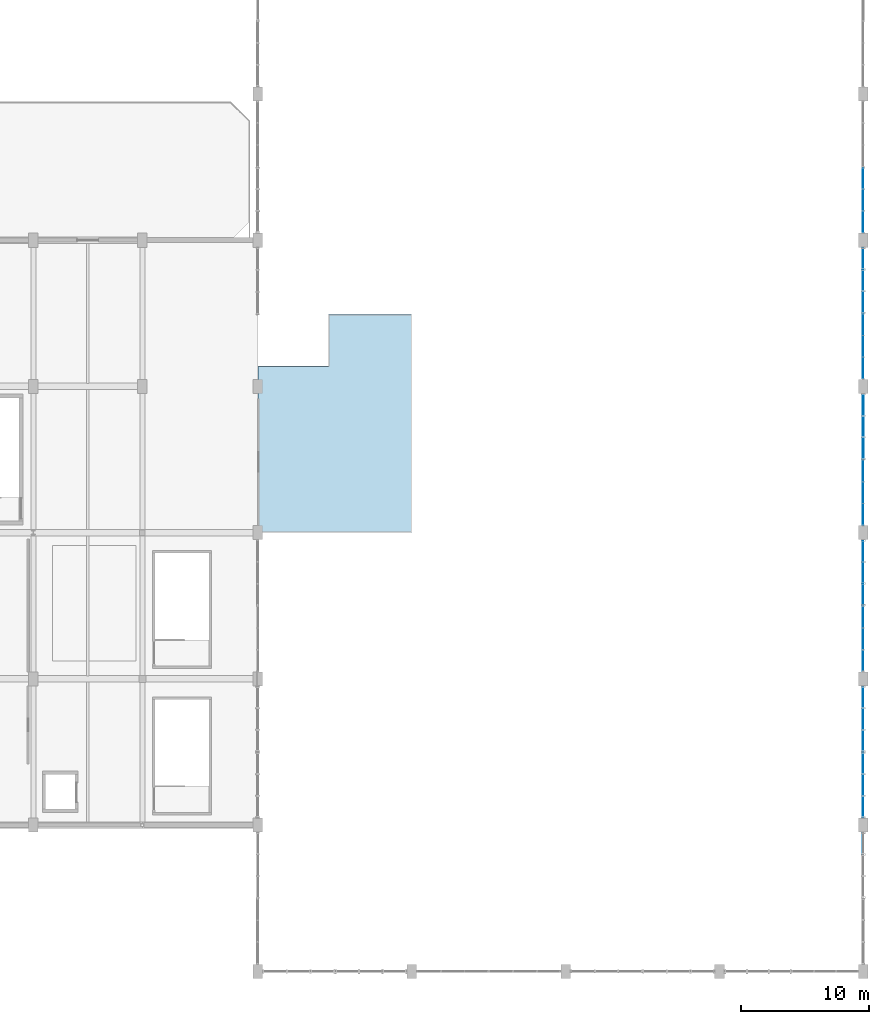
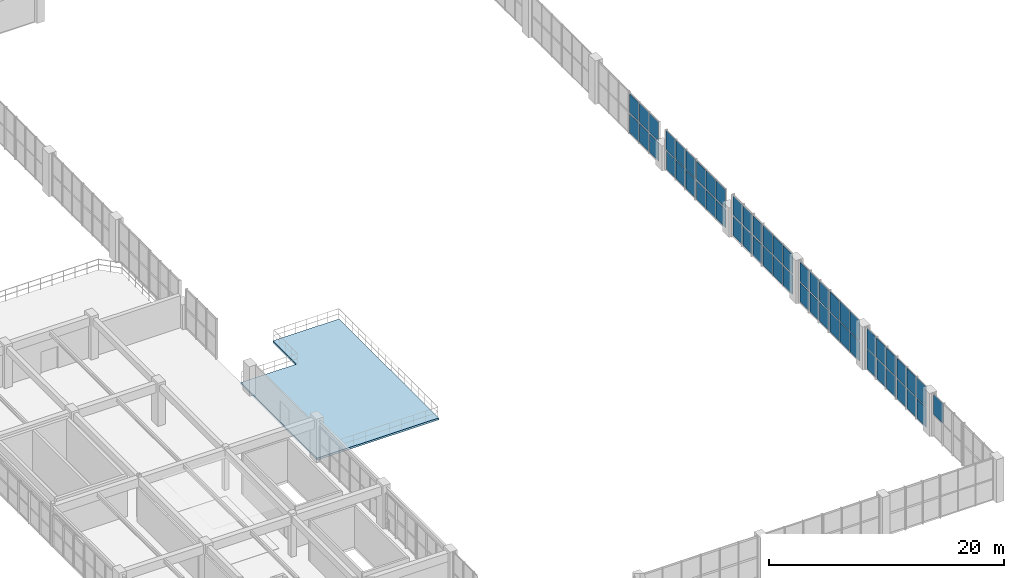
# One storey, part 59 of 80: 55 plates, 1 slab, 10 elements without a shape of their own.
"""IFC4 building model written with IfcOpenShell, lengths in metres."""

from ifc_helpers import new_model, si_unit, direction, frame, origin, origin_2d, place, context, subcontext, project, spatial, polyline, rectangle, outline, extrude, material, layer, layer_set, type_object, element, aggregate, save


model = new_model("IFC4")

# Units and contexts
model_context = context("Model", 3, precision=1e-05, world=origin(), true_north=direction((0.0, 1.0)))
body_context = subcontext(model_context, "Body", "Model", "MODEL_VIEW")
ifc_project = project(units=[si_unit("LENGTHUNIT", "METRE"), si_unit("AREAUNIT", "SQUARE_METRE"), si_unit("VOLUMEUNIT", "CUBIC_METRE"), si_unit("PLANEANGLEUNIT", "RADIAN"), si_unit("MASSUNIT", "GRAM", prefix="KILO"), si_unit("POWERUNIT", "WATT"), si_unit("THERMODYNAMICTEMPERATUREUNIT", "KELVIN")], contexts=[model_context])

# Site, building, storey
site_placement = place(None, origin())
site = spatial("IfcSite", under=ifc_project, at=site_placement, CompositionType="ELEMENT")
building_placement = place(site_placement, origin())
building = spatial("IfcBuilding", under=site, at=building_placement, Name="Kelmbourne Parkland Aquatics Centre", CompositionType="ELEMENT")
storey_placement = place(building_placement, frame((0.0, 0.0, 10.199951171875)))
storey = spatial("IfcBuildingStorey", under=building, at=storey_placement, Name="L02", CompositionType="ELEMENT", Elevation=10.199951171875)

# Curtain wall, plate
ifc_material_1 = material(Name="Thermally broken anodised aluminium framing", Category="aluminium")
ifc_layer_1 = layer(ifc_material_1, 0.179931640625)
ifc_layer_set_1 = layer_set([ifc_layer_1], Name="Thermally broken anodised aluminium framing")
curtain_wall_type_1 = type_object("IfcCurtainWallType", Name="CW-09", PredefinedType="NOTDEFINED", material=ifc_layer_set_1)
curtain_wall_1_placement = place(storey_placement, origin())
curtain_wall_1 = element("IfcCurtainWall", 1, at=curtain_wall_1_placement, inside=storey, type_object=curtain_wall_type_1, Name="Wave-hall clerestory curtain wall CW-L02-009", PredefinedType="NOTDEFINED")
ifc_material_2 = material(Name="Double-glazed low-e laminated safety glass", Category="glass")
ifc_layer_2 = layer(ifc_material_2, 0.0419921875)
ifc_layer_set_2 = layer_set([ifc_layer_2], Name="Double-glazed low-e laminated safety glass")
plate_type_1 = type_object("IfcPlateType", Name="PL-CLR-1", PredefinedType="USERDEFINED", material=ifc_layer_set_2)
plate_1_placement = place(storey_placement, frame((175.199951171875, 10.7548828125, 2.279296875), z_axis=(0.0, 0.0, 1.0), x_axis=(0.0, 1.0, 0.0)))
plate_1 = element("IfcPlate", 2, at=plate_1_placement, type_object=plate_type_1, Name="CW-L02-009 clerestory glazing 1-2", ObjectType="CLERESTORY GLAZING", PredefinedType="USERDEFINED", context=body_context, shape_type="SweptSolid", body=[
    extrude(rectangle(XDim=1.587890625, YDim=0.0419921875, at=origin_2d()), origin(), (0.0, 0.0, 1.0), 2.053955078125),
])
aggregate(curtain_wall_1, [plate_1])

# Curtain wall, plates
ifc_layer_3 = layer(ifc_material_1, 0.179931640625)
ifc_layer_set_3 = layer_set([ifc_layer_3], Name="Thermally broken anodised aluminium framing")
curtain_wall_type_2 = type_object("IfcCurtainWallType", Name="CW-18", PredefinedType="NOTDEFINED", material=ifc_layer_set_3)
curtain_wall_2_placement = place(storey_placement, origin())
curtain_wall_2 = element("IfcCurtainWall", 3, at=curtain_wall_2_placement, inside=storey, type_object=curtain_wall_type_2, Name="Wave-hall clerestory curtain wall CW-L02-018", PredefinedType="NOTDEFINED")
plate_2_placement = place(storey_placement, frame((175.199951171875, 13.6416015625, 2.279296875), z_axis=(0.0, 0.0, 1.0), x_axis=(0.0, 1.0, 0.0)))
plate_2 = element("IfcPlate", 4, at=plate_2_placement, type_object=plate_type_1, Name="CW-L02-018 clerestory glazing 1-0", ObjectType="CLERESTORY GLAZING", PredefinedType="USERDEFINED", context=body_context, shape_type="SweptSolid", body=[
    extrude(rectangle(XDim=1.601318359375, YDim=0.0419921875, at=origin_2d()), origin(), (0.0, 0.0, 1.0), 2.053955078125),
])
plate_3_placement = place(storey_placement, frame((175.199951171875, 15.325927734375, 2.279296875), z_axis=(0.0, 0.0, 1.0), x_axis=(0.0, 1.0, 0.0)))
plate_3 = element("IfcPlate", 5, at=plate_3_placement, type_object=plate_type_1, Name="CW-L02-018 clerestory glazing 1-1", ObjectType="CLERESTORY GLAZING", PredefinedType="USERDEFINED", context=body_context, shape_type="SweptSolid", body=[
    extrude(rectangle(XDim=1.601318359375, YDim=0.0419921875, at=origin_2d()), origin(), (0.0, 0.0, 1.0), 2.053955078125),
])
plate_4_placement = place(storey_placement, frame((175.199951171875, 17.010498046875, 2.279296875), z_axis=(0.0, 0.0, 1.0), x_axis=(0.0, 1.0, 0.0)))
plate_4 = element("IfcPlate", 6, at=plate_4_placement, type_object=plate_type_1, Name="CW-L02-018 clerestory glazing 1-2", ObjectType="CLERESTORY GLAZING", PredefinedType="USERDEFINED", context=body_context, shape_type="SweptSolid", body=[
    extrude(rectangle(XDim=1.601318359375, YDim=0.0419921875, at=origin_2d()), origin(), (0.0, 0.0, 1.0), 2.053955078125),
])

ifc_layer_4 = layer(ifc_material_1, 0.179931640625)
ifc_layer_set_4 = layer_set([ifc_layer_4], Name="Thermally broken anodised aluminium framing")
curtain_wall_type_3 = type_object("IfcCurtainWallType", Name="CW-24", PredefinedType="NOTDEFINED", material=ifc_layer_set_4)
curtain_wall_3_placement = place(storey_placement, origin())
curtain_wall_3 = element("IfcCurtainWall", 7, at=curtain_wall_3_placement, inside=storey, type_object=curtain_wall_type_3, Name="Wave-hall clerestory curtain wall CW-L02-024", PredefinedType="NOTDEFINED")
plate_5_placement = place(storey_placement, frame((175.199951171875, 18.79296875, 2.279296875), z_axis=(0.0, 0.0, 1.0), x_axis=(0.0, 1.0, 0.0)))
plate_5 = element("IfcPlate", 8, at=plate_5_placement, type_object=plate_type_1, Name="CW-L02-024 clerestory glazing 1-0", ObjectType="CLERESTORY GLAZING", PredefinedType="USERDEFINED", context=body_context, shape_type="SweptSolid", body=[
    extrude(rectangle(XDim=1.587890625, YDim=0.0419921875, at=origin_2d()), origin(), (0.0, 0.0, 1.0), 2.053955078125),
])
plate_6_placement = place(storey_placement, frame((175.199951171875, 20.47412109375, 2.279296875), z_axis=(0.0, 0.0, 1.0), x_axis=(0.0, 1.0, 0.0)))
plate_6 = element("IfcPlate", 9, at=plate_6_placement, type_object=plate_type_1, Name="CW-L02-024 clerestory glazing 1-1", ObjectType="CLERESTORY GLAZING", PredefinedType="USERDEFINED", context=body_context, shape_type="SweptSolid", body=[
    extrude(rectangle(XDim=1.587890625, YDim=0.0419921875, at=origin_2d()), origin(), (0.0, 0.0, 1.0), 2.053955078125),
])
plate_7_placement = place(storey_placement, frame((175.199951171875, 22.155029296875, 2.279296875), z_axis=(0.0, 0.0, 1.0), x_axis=(0.0, 1.0, 0.0)))
plate_7 = element("IfcPlate", 10, at=plate_7_placement, type_object=plate_type_1, Name="CW-L02-024 clerestory glazing 1-2", ObjectType="CLERESTORY GLAZING", PredefinedType="USERDEFINED", context=body_context, shape_type="SweptSolid", body=[
    extrude(rectangle(XDim=1.587890625, YDim=0.0419921875, at=origin_2d()), origin(), (0.0, 0.0, 1.0), 2.053955078125),
])

ifc_layer_5 = layer(ifc_material_1, 0.179931640625)
ifc_layer_set_5 = layer_set([ifc_layer_5], Name="Thermally broken anodised aluminium framing")
curtain_wall_type_4 = type_object("IfcCurtainWallType", Name="CW-06", PredefinedType="NOTDEFINED", material=ifc_layer_set_5)
curtain_wall_4_placement = place(storey_placement, origin())
curtain_wall_4 = element("IfcCurtainWall", 11, at=curtain_wall_4_placement, inside=storey, type_object=curtain_wall_type_4, Name="Wave-hall clerestory curtain wall CW-L02-030", PredefinedType="NOTDEFINED")
plate_8_placement = place(storey_placement, frame((175.199951171875, 25.03173828125, 2.279296875), z_axis=(0.0, 0.0, 1.0), x_axis=(0.0, 1.0, 0.0)))
plate_8 = element("IfcPlate", 12, at=plate_8_placement, type_object=plate_type_1, Name="CW-L02-030 clerestory glazing 1-0", ObjectType="CLERESTORY GLAZING", PredefinedType="USERDEFINED", context=body_context, shape_type="SweptSolid", body=[
    extrude(rectangle(XDim=1.641357421875, YDim=0.0419921875, at=origin_2d()), origin(), (0.0, 0.0, 1.0), 2.053955078125),
])
plate_9_placement = place(storey_placement, frame((175.199951171875, 26.72607421875, 2.279296875), z_axis=(0.0, 0.0, 1.0), x_axis=(0.0, 1.0, 0.0)))
plate_9 = element("IfcPlate", 13, at=plate_9_placement, type_object=plate_type_1, Name="CW-L02-030 clerestory glazing 1-1", ObjectType="CLERESTORY GLAZING", PredefinedType="USERDEFINED", context=body_context, shape_type="SweptSolid", body=[
    extrude(rectangle(XDim=1.641357421875, YDim=0.0419921875, at=origin_2d()), origin(), (0.0, 0.0, 1.0), 2.053955078125),
])
plate_10_placement = place(storey_placement, frame((175.199951171875, 28.42041015625, 2.279296875), z_axis=(0.0, 0.0, 1.0), x_axis=(0.0, 1.0, 0.0)))
plate_10 = element("IfcPlate", 14, at=plate_10_placement, type_object=plate_type_1, Name="CW-L02-030 clerestory glazing 1-2", ObjectType="CLERESTORY GLAZING", PredefinedType="USERDEFINED", context=body_context, shape_type="SweptSolid", body=[
    extrude(rectangle(XDim=1.641357421875, YDim=0.0419921875, at=origin_2d()), origin(), (0.0, 0.0, 1.0), 2.053955078125),
])

ifc_layer_6 = layer(ifc_material_1, 0.179931640625)
ifc_layer_set_6 = layer_set([ifc_layer_6], Name="Thermally broken anodised aluminium framing")
curtain_wall_type_5 = type_object("IfcCurtainWallType", Name="CW-10", PredefinedType="NOTDEFINED", material=ifc_layer_set_6)
curtain_wall_5_placement = place(storey_placement, origin())
curtain_wall_5 = element("IfcCurtainWall", 15, at=curtain_wall_5_placement, inside=storey, type_object=curtain_wall_type_5, Name="Wave-hall clerestory curtain wall CW-L02-034", PredefinedType="NOTDEFINED")
plate_11_placement = place(storey_placement, frame((175.199951171875, 30.193115234375, 2.2939453125), z_axis=(0.0, 0.0, 1.0), x_axis=(0.0, 1.0, 0.0)))
plate_11 = element("IfcPlate", 16, at=plate_11_placement, type_object=plate_type_1, Name="CW-L02-034 clerestory glazing 1-0", ObjectType="CLERESTORY GLAZING", PredefinedType="USERDEFINED", context=body_context, shape_type="SweptSolid", body=[
    extrude(rectangle(XDim=1.587890625, YDim=0.0419921875, at=origin_2d()), origin(), (0.0, 0.0, 1.0), 2.009033203125),
])
plate_12_placement = place(storey_placement, frame((175.199951171875, 31.8740234375, 2.2939453125), z_axis=(0.0, 0.0, 1.0), x_axis=(0.0, 1.0, 0.0)))
plate_12 = element("IfcPlate", 17, at=plate_12_placement, type_object=plate_type_1, Name="CW-L02-034 clerestory glazing 1-1", ObjectType="CLERESTORY GLAZING", PredefinedType="USERDEFINED", context=body_context, shape_type="SweptSolid", body=[
    extrude(rectangle(XDim=1.587890625, YDim=0.0419921875, at=origin_2d()), origin(), (0.0, 0.0, 1.0), 2.009033203125),
])
plate_13_placement = place(storey_placement, frame((175.199951171875, 33.554931640625, 2.2939453125), z_axis=(0.0, 0.0, 1.0), x_axis=(0.0, 1.0, 0.0)))
plate_13 = element("IfcPlate", 18, at=plate_13_placement, type_object=plate_type_1, Name="CW-L02-034 clerestory glazing 1-2", ObjectType="CLERESTORY GLAZING", PredefinedType="USERDEFINED", context=body_context, shape_type="SweptSolid", body=[
    extrude(rectangle(XDim=1.587890625, YDim=0.0419921875, at=origin_2d()), origin(), (0.0, 0.0, 1.0), 2.009033203125),
])

ifc_layer_7 = layer(ifc_material_1, 0.179931640625)
ifc_layer_set_7 = layer_set([ifc_layer_7], Name="Thermally broken anodised aluminium framing")
curtain_wall_type_6 = type_object("IfcCurtainWallType", Name="CW-16", PredefinedType="NOTDEFINED", material=ifc_layer_set_7)
curtain_wall_6_placement = place(storey_placement, origin())
curtain_wall_6 = element("IfcCurtainWall", 19, at=curtain_wall_6_placement, inside=storey, type_object=curtain_wall_type_6, Name="Wave-hall clerestory curtain wall CW-L02-040", PredefinedType="NOTDEFINED")
plate_14_placement = place(storey_placement, frame((175.199951171875, 36.431640625, 2.2939453125), z_axis=(0.0, 0.0, 1.0), x_axis=(0.0, 1.0, 0.0)))
plate_14 = element("IfcPlate", 20, at=plate_14_placement, type_object=plate_type_1, Name="CW-L02-040 clerestory glazing 1-0", ObjectType="CLERESTORY GLAZING", PredefinedType="USERDEFINED", context=body_context, shape_type="SweptSolid", body=[
    extrude(rectangle(XDim=1.641357421875, YDim=0.0419921875, at=origin_2d()), origin(), (0.0, 0.0, 1.0), 2.009033203125),
])
plate_15_placement = place(storey_placement, frame((175.199951171875, 38.1259765625, 2.2939453125), z_axis=(0.0, 0.0, 1.0), x_axis=(0.0, 1.0, 0.0)))
plate_15 = element("IfcPlate", 21, at=plate_15_placement, type_object=plate_type_1, Name="CW-L02-040 clerestory glazing 1-1", ObjectType="CLERESTORY GLAZING", PredefinedType="USERDEFINED", context=body_context, shape_type="SweptSolid", body=[
    extrude(rectangle(XDim=1.641357421875, YDim=0.0419921875, at=origin_2d()), origin(), (0.0, 0.0, 1.0), 2.009033203125),
])
plate_16_placement = place(storey_placement, frame((175.199951171875, 39.8203125, 2.2939453125), z_axis=(0.0, 0.0, 1.0), x_axis=(0.0, 1.0, 0.0)))
plate_16 = element("IfcPlate", 22, at=plate_16_placement, type_object=plate_type_1, Name="CW-L02-040 clerestory glazing 1-2", ObjectType="CLERESTORY GLAZING", PredefinedType="USERDEFINED", context=body_context, shape_type="SweptSolid", body=[
    extrude(rectangle(XDim=1.641357421875, YDim=0.0419921875, at=origin_2d()), origin(), (0.0, 0.0, 1.0), 2.009033203125),
])

ifc_layer_8 = layer(ifc_material_1, 0.179931640625)
ifc_layer_set_8 = layer_set([ifc_layer_8], Name="Thermally broken anodised aluminium framing")
curtain_wall_type_7 = type_object("IfcCurtainWallType", Name="CW-20", PredefinedType="NOTDEFINED", material=ifc_layer_set_8)
curtain_wall_7_placement = place(storey_placement, origin())
curtain_wall_7 = element("IfcCurtainWall", 23, at=curtain_wall_7_placement, inside=storey, type_object=curtain_wall_type_7, Name="Wave-hall clerestory curtain wall CW-L02-044", PredefinedType="NOTDEFINED")
plate_17_placement = place(storey_placement, frame((175.199951171875, 41.593017578125, 2.30908203125), z_axis=(0.0, 0.0, 1.0), x_axis=(0.0, 1.0, 0.0)))
plate_17 = element("IfcPlate", 24, at=plate_17_placement, type_object=plate_type_1, Name="CW-L02-044 clerestory glazing 1-0", ObjectType="CLERESTORY GLAZING", PredefinedType="USERDEFINED", context=body_context, shape_type="SweptSolid", body=[
    extrude(rectangle(XDim=1.587890625, YDim=0.0419921875, at=origin_2d()), origin(), (0.0, 0.0, 1.0), 1.964111328125),
])
plate_18_placement = place(storey_placement, frame((175.199951171875, 43.27392578125, 2.30908203125), z_axis=(0.0, 0.0, 1.0), x_axis=(0.0, 1.0, 0.0)))
plate_18 = element("IfcPlate", 25, at=plate_18_placement, type_object=plate_type_1, Name="CW-L02-044 clerestory glazing 1-1", ObjectType="CLERESTORY GLAZING", PredefinedType="USERDEFINED", context=body_context, shape_type="SweptSolid", body=[
    extrude(rectangle(XDim=1.587890625, YDim=0.0419921875, at=origin_2d()), origin(), (0.0, 0.0, 1.0), 1.964111328125),
])
plate_19_placement = place(storey_placement, frame((175.199951171875, 44.955078125, 2.30908203125), z_axis=(0.0, 0.0, 1.0), x_axis=(0.0, 1.0, 0.0)))
plate_19 = element("IfcPlate", 26, at=plate_19_placement, type_object=plate_type_1, Name="CW-L02-044 clerestory glazing 1-2", ObjectType="CLERESTORY GLAZING", PredefinedType="USERDEFINED", context=body_context, shape_type="SweptSolid", body=[
    extrude(rectangle(XDim=1.587890625, YDim=0.0419921875, at=origin_2d()), origin(), (0.0, 0.0, 1.0), 1.964111328125),
])

ifc_layer_9 = layer(ifc_material_1, 0.179931640625)
ifc_layer_set_9 = layer_set([ifc_layer_9], Name="Thermally broken anodised aluminium framing")
curtain_wall_type_8 = type_object("IfcCurtainWallType", Name="CW-22", PredefinedType="NOTDEFINED", material=ifc_layer_set_9)
curtain_wall_8_placement = place(storey_placement, origin())
curtain_wall_8 = element("IfcCurtainWall", 27, at=curtain_wall_8_placement, inside=storey, type_object=curtain_wall_type_8, Name="Wave-hall clerestory curtain wall CW-L02-046", PredefinedType="NOTDEFINED")
plate_20_placement = place(storey_placement, frame((175.199951171875, 47.8349609375, 2.1982421875), z_axis=(0.0, 0.0, 1.0), x_axis=(0.0, 1.0, 0.0)))
plate_20 = element("IfcPlate", 28, at=plate_20_placement, type_object=plate_type_1, Name="CW-L02-046 clerestory glazing 1-0", ObjectType="CLERESTORY GLAZING", PredefinedType="USERDEFINED", context=body_context, shape_type="SweptSolid", body=[
    extrude(rectangle(XDim=1.6279296875, YDim=0.0419921875, at=origin_2d()), origin(), (0.0, 0.0, 1.0), 1.9130859375),
])
plate_21_placement = place(storey_placement, frame((175.199951171875, 49.52587890625, 2.1982421875), z_axis=(0.0, 0.0, 1.0), x_axis=(0.0, 1.0, 0.0)))
plate_21 = element("IfcPlate", 29, at=plate_21_placement, type_object=plate_type_1, Name="CW-L02-046 clerestory glazing 1-1", ObjectType="CLERESTORY GLAZING", PredefinedType="USERDEFINED", context=body_context, shape_type="SweptSolid", body=[
    extrude(rectangle(XDim=1.6279296875, YDim=0.0419921875, at=origin_2d()), origin(), (0.0, 0.0, 1.0), 1.9130859375),
])
plate_22_placement = place(storey_placement, frame((175.199951171875, 51.217041015625, 2.1982421875), z_axis=(0.0, 0.0, 1.0), x_axis=(0.0, 1.0, 0.0)))
plate_22 = element("IfcPlate", 30, at=plate_22_placement, type_object=plate_type_1, Name="CW-L02-046 clerestory glazing 1-2", ObjectType="CLERESTORY GLAZING", PredefinedType="USERDEFINED", context=body_context, shape_type="SweptSolid", body=[
    extrude(rectangle(XDim=1.6279296875, YDim=0.0419921875, at=origin_2d()), origin(), (0.0, 0.0, 1.0), 1.9130859375),
])

curtain_wall_9_placement = place(storey_placement, origin())
curtain_wall_9 = element("IfcCurtainWall", 31, at=curtain_wall_9_placement, inside=storey, type_object=curtain_wall_type_3, Name="Wave-hall clerestory curtain wall CW-L02-048", PredefinedType="NOTDEFINED")
plate_23_placement = place(storey_placement, frame((175.199951171875, 52.98974609375, 2.18310546875), z_axis=(0.0, 0.0, 1.0), x_axis=(0.0, 1.0, 0.0)))
plate_23 = element("IfcPlate", 32, at=plate_23_placement, type_object=plate_type_1, Name="CW-L02-048 clerestory glazing 1-0", ObjectType="CLERESTORY GLAZING", PredefinedType="USERDEFINED", context=body_context, shape_type="SweptSolid", body=[
    extrude(rectangle(XDim=1.601318359375, YDim=0.0419921875, at=origin_2d()), origin(), (0.0, 0.0, 1.0), 1.958251953125),
])
plate_24_placement = place(storey_placement, frame((175.199951171875, 54.674072265625, 2.18310546875), z_axis=(0.0, 0.0, 1.0), x_axis=(0.0, 1.0, 0.0)))
plate_24 = element("IfcPlate", 33, at=plate_24_placement, type_object=plate_type_1, Name="CW-L02-048 clerestory glazing 1-1", ObjectType="CLERESTORY GLAZING", PredefinedType="USERDEFINED", context=body_context, shape_type="SweptSolid", body=[
    extrude(rectangle(XDim=1.601318359375, YDim=0.0419921875, at=origin_2d()), origin(), (0.0, 0.0, 1.0), 1.958251953125),
])
plate_25_placement = place(storey_placement, frame((175.199951171875, 56.3583984375, 2.18310546875), z_axis=(0.0, 0.0, 1.0), x_axis=(0.0, 1.0, 0.0)))
plate_25 = element("IfcPlate", 34, at=plate_25_placement, type_object=plate_type_1, Name="CW-L02-048 clerestory glazing 1-2", ObjectType="CLERESTORY GLAZING", PredefinedType="USERDEFINED", context=body_context, shape_type="SweptSolid", body=[
    extrude(rectangle(XDim=1.601318359375, YDim=0.0419921875, at=origin_2d()), origin(), (0.0, 0.0, 1.0), 1.958251953125),
])

ifc_layer_10 = layer(ifc_material_1, 0.179931640625)
ifc_layer_set_10 = layer_set([ifc_layer_10], Name="Thermally broken anodised aluminium framing")
curtain_wall_type_9 = type_object("IfcCurtainWallType", Name="CW-04", PredefinedType="NOTDEFINED", material=ifc_layer_set_10)
curtain_wall_10_placement = place(storey_placement, origin())
curtain_wall_10 = element("IfcCurtainWall", 35, at=curtain_wall_10_placement, inside=storey, type_object=curtain_wall_type_9, Name="Wave-hall clerestory curtain wall CW-L02-052", PredefinedType="NOTDEFINED")
plate_26_placement = place(storey_placement, frame((175.199951171875, 59.23828125, 2.2470703125), z_axis=(0.0, 0.0, 1.0), x_axis=(0.0, 1.0, 0.0)))
plate_26 = element("IfcPlate", 36, at=plate_26_placement, type_object=plate_type_1, Name="CW-L02-052 clerestory glazing 1-0", ObjectType="CLERESTORY GLAZING", PredefinedType="USERDEFINED", context=body_context, shape_type="SweptSolid", body=[
    extrude(rectangle(XDim=1.61474609375, YDim=0.0419921875, at=origin_2d()), origin(), (0.0, 0.0, 1.0), 1.962158203125),
])
plate_27_placement = place(storey_placement, frame((175.199951171875, 60.926025390625, 2.2470703125), z_axis=(0.0, 0.0, 1.0), x_axis=(0.0, 1.0, 0.0)))
plate_27 = element("IfcPlate", 37, at=plate_27_placement, type_object=plate_type_1, Name="CW-L02-052 clerestory glazing 1-1", ObjectType="CLERESTORY GLAZING", PredefinedType="USERDEFINED", context=body_context, shape_type="SweptSolid", body=[
    extrude(rectangle(XDim=1.614501953125, YDim=0.0419921875, at=origin_2d()), origin(), (0.0, 0.0, 1.0), 1.962158203125),
])
plate_28_placement = place(storey_placement, frame((175.199951171875, 62.613525390625, 2.2470703125), z_axis=(0.0, 0.0, 1.0), x_axis=(0.0, 1.0, 0.0)))
plate_28 = element("IfcPlate", 38, at=plate_28_placement, type_object=plate_type_1, Name="CW-L02-052 clerestory glazing 1-2", ObjectType="CLERESTORY GLAZING", PredefinedType="USERDEFINED", context=body_context, shape_type="SweptSolid", body=[
    extrude(rectangle(XDim=1.61474609375, YDim=0.0419921875, at=origin_2d()), origin(), (0.0, 0.0, 1.0), 1.962158203125),
])

# Plate
ifc_layer_11 = layer(ifc_material_2, 0.02392578125)
ifc_layer_set_11 = layer_set([ifc_layer_11], Name="Double-glazed low-e laminated safety glass")
plate_type_2 = type_object("IfcPlateType", Name="PL-CWP-1", PredefinedType="CURTAIN_PANEL", material=ifc_layer_set_11)
plate_29_placement = place(storey_placement, frame((175.199951171875, 13.6416015625, 0.1171875), z_axis=(0.0, 0.0, 1.0), x_axis=(0.0, 1.0, 0.0)))
plate_29 = element("IfcPlate", 39, at=plate_29_placement, type_object=plate_type_2, Name="CW-L02-018 vision glazing 0-0", PredefinedType="CURTAIN_PANEL", context=body_context, shape_type="SweptSolid", body=[
    extrude(rectangle(XDim=1.601318359375, YDim=0.02392578125, at=origin_2d()), origin(), (0.0, 0.0, 1.0), 2.053955078125),
])

plate_30_placement = place(storey_placement, frame((175.199951171875, 15.325927734375, 0.1171875), z_axis=(0.0, 0.0, 1.0), x_axis=(0.0, 1.0, 0.0)))
plate_30 = element("IfcPlate", 40, at=plate_30_placement, type_object=plate_type_2, Name="CW-L02-018 vision glazing 0-1", PredefinedType="CURTAIN_PANEL", context=body_context, shape_type="SweptSolid", body=[
    extrude(rectangle(XDim=1.601318359375, YDim=0.02392578125, at=origin_2d()), origin(), (0.0, 0.0, 1.0), 2.053955078125),
])

plate_31_placement = place(storey_placement, frame((175.199951171875, 17.010498046875, 0.1171875), z_axis=(0.0, 0.0, 1.0), x_axis=(0.0, 1.0, 0.0)))
plate_31 = element("IfcPlate", 41, at=plate_31_placement, type_object=plate_type_2, Name="CW-L02-018 vision glazing 0-2", PredefinedType="CURTAIN_PANEL", context=body_context, shape_type="SweptSolid", body=[
    extrude(rectangle(XDim=1.601318359375, YDim=0.02392578125, at=origin_2d()), origin(), (0.0, 0.0, 1.0), 2.053955078125),
])

aggregate(curtain_wall_2, [plate_29, plate_30, plate_31, plate_2, plate_3, plate_4])

plate_32_placement = place(storey_placement, frame((175.199951171875, 18.79296875, 0.1171875), z_axis=(0.0, 0.0, 1.0), x_axis=(0.0, 1.0, 0.0)))
plate_32 = element("IfcPlate", 42, at=plate_32_placement, type_object=plate_type_2, Name="CW-L02-024 vision glazing 0-0", PredefinedType="CURTAIN_PANEL", context=body_context, shape_type="SweptSolid", body=[
    extrude(rectangle(XDim=1.587890625, YDim=0.02392578125, at=origin_2d()), origin(), (0.0, 0.0, 1.0), 2.053955078125),
])

plate_33_placement = place(storey_placement, frame((175.199951171875, 20.47412109375, 0.1171875), z_axis=(0.0, 0.0, 1.0), x_axis=(0.0, 1.0, 0.0)))
plate_33 = element("IfcPlate", 43, at=plate_33_placement, type_object=plate_type_2, Name="CW-L02-024 vision glazing 0-1", PredefinedType="CURTAIN_PANEL", context=body_context, shape_type="SweptSolid", body=[
    extrude(rectangle(XDim=1.587890625, YDim=0.02392578125, at=origin_2d()), origin(), (0.0, 0.0, 1.0), 2.053955078125),
])

plate_34_placement = place(storey_placement, frame((175.199951171875, 22.155029296875, 0.1171875), z_axis=(0.0, 0.0, 1.0), x_axis=(0.0, 1.0, 0.0)))
plate_34 = element("IfcPlate", 44, at=plate_34_placement, type_object=plate_type_2, Name="CW-L02-024 vision glazing 0-2", PredefinedType="CURTAIN_PANEL", context=body_context, shape_type="SweptSolid", body=[
    extrude(rectangle(XDim=1.587890625, YDim=0.02392578125, at=origin_2d()), origin(), (0.0, 0.0, 1.0), 2.053955078125),
])

aggregate(curtain_wall_3, [plate_32, plate_33, plate_34, plate_5, plate_6, plate_7])

plate_35_placement = place(storey_placement, frame((175.199951171875, 25.03173828125, 0.1171875), z_axis=(0.0, 0.0, 1.0), x_axis=(0.0, 1.0, 0.0)))
plate_35 = element("IfcPlate", 45, at=plate_35_placement, type_object=plate_type_2, Name="CW-L02-030 vision glazing 0-0", PredefinedType="CURTAIN_PANEL", context=body_context, shape_type="SweptSolid", body=[
    extrude(rectangle(XDim=1.641357421875, YDim=0.02392578125, at=origin_2d()), origin(), (0.0, 0.0, 1.0), 2.053955078125),
])

plate_36_placement = place(storey_placement, frame((175.199951171875, 26.72607421875, 0.1171875), z_axis=(0.0, 0.0, 1.0), x_axis=(0.0, 1.0, 0.0)))
plate_36 = element("IfcPlate", 46, at=plate_36_placement, type_object=plate_type_2, Name="CW-L02-030 vision glazing 0-1", PredefinedType="CURTAIN_PANEL", context=body_context, shape_type="SweptSolid", body=[
    extrude(rectangle(XDim=1.641357421875, YDim=0.02392578125, at=origin_2d()), origin(), (0.0, 0.0, 1.0), 2.053955078125),
])

plate_37_placement = place(storey_placement, frame((175.199951171875, 28.42041015625, 0.1171875), z_axis=(0.0, 0.0, 1.0), x_axis=(0.0, 1.0, 0.0)))
plate_37 = element("IfcPlate", 47, at=plate_37_placement, type_object=plate_type_2, Name="CW-L02-030 vision glazing 0-2", PredefinedType="CURTAIN_PANEL", context=body_context, shape_type="SweptSolid", body=[
    extrude(rectangle(XDim=1.641357421875, YDim=0.02392578125, at=origin_2d()), origin(), (0.0, 0.0, 1.0), 2.053955078125),
])

aggregate(curtain_wall_4, [plate_35, plate_36, plate_37, plate_8, plate_9, plate_10])

plate_38_placement = place(storey_placement, frame((175.199951171875, 52.98974609375, 0.1171875), z_axis=(0.0, 0.0, 1.0), x_axis=(0.0, 1.0, 0.0)))
plate_38 = element("IfcPlate", 48, at=plate_38_placement, type_object=plate_type_2, Name="CW-L02-048 vision glazing 0-0", PredefinedType="CURTAIN_PANEL", context=body_context, shape_type="SweptSolid", body=[
    extrude(rectangle(XDim=1.601318359375, YDim=0.02392578125, at=origin_2d()), origin(), (0.0, 0.0, 1.0), 1.958251953125),
])

plate_39_placement = place(storey_placement, frame((175.199951171875, 54.674072265625, 0.1171875), z_axis=(0.0, 0.0, 1.0), x_axis=(0.0, 1.0, 0.0)))
plate_39 = element("IfcPlate", 49, at=plate_39_placement, type_object=plate_type_2, Name="CW-L02-048 vision glazing 0-1", PredefinedType="CURTAIN_PANEL", context=body_context, shape_type="SweptSolid", body=[
    extrude(rectangle(XDim=1.601318359375, YDim=0.02392578125, at=origin_2d()), origin(), (0.0, 0.0, 1.0), 1.958251953125),
])

plate_40_placement = place(storey_placement, frame((175.199951171875, 56.3583984375, 0.1171875), z_axis=(0.0, 0.0, 1.0), x_axis=(0.0, 1.0, 0.0)))
plate_40 = element("IfcPlate", 50, at=plate_40_placement, type_object=plate_type_2, Name="CW-L02-048 vision glazing 0-2", PredefinedType="CURTAIN_PANEL", context=body_context, shape_type="SweptSolid", body=[
    extrude(rectangle(XDim=1.601318359375, YDim=0.02392578125, at=origin_2d()), origin(), (0.0, 0.0, 1.0), 1.958251953125),
])

aggregate(curtain_wall_9, [plate_38, plate_39, plate_40, plate_23, plate_24, plate_25])

ifc_layer_12 = layer(ifc_material_2, 0.035888671875)
ifc_layer_set_12 = layer_set([ifc_layer_12], Name="Double-glazed low-e laminated safety glass")
plate_type_3 = type_object("IfcPlateType", Name="PL-CWP-2", PredefinedType="CURTAIN_PANEL", material=ifc_layer_set_12)
plate_41_placement = place(storey_placement, frame((175.199951171875, 30.193115234375, 0.14697265625), z_axis=(0.0, 0.0, 1.0), x_axis=(0.0, 1.0, 0.0)))
plate_41 = element("IfcPlate", 51, at=plate_41_placement, type_object=plate_type_3, Name="CW-L02-034 vision glazing 0-0", PredefinedType="CURTAIN_PANEL", context=body_context, shape_type="SweptSolid", body=[
    extrude(rectangle(XDim=1.587890625, YDim=0.035888671875, at=origin_2d()), origin(), (0.0, 0.0, 1.0), 2.009033203125),
])

plate_42_placement = place(storey_placement, frame((175.199951171875, 31.8740234375, 0.14697265625), z_axis=(0.0, 0.0, 1.0), x_axis=(0.0, 1.0, 0.0)))
plate_42 = element("IfcPlate", 52, at=plate_42_placement, type_object=plate_type_3, Name="CW-L02-034 vision glazing 0-1", PredefinedType="CURTAIN_PANEL", context=body_context, shape_type="SweptSolid", body=[
    extrude(rectangle(XDim=1.587890625, YDim=0.035888671875, at=origin_2d()), origin(), (0.0, 0.0, 1.0), 2.009033203125),
])

plate_43_placement = place(storey_placement, frame((175.199951171875, 33.554931640625, 0.14697265625), z_axis=(0.0, 0.0, 1.0), x_axis=(0.0, 1.0, 0.0)))
plate_43 = element("IfcPlate", 53, at=plate_43_placement, type_object=plate_type_3, Name="CW-L02-034 vision glazing 0-2", PredefinedType="CURTAIN_PANEL", context=body_context, shape_type="SweptSolid", body=[
    extrude(rectangle(XDim=1.587890625, YDim=0.035888671875, at=origin_2d()), origin(), (0.0, 0.0, 1.0), 2.009033203125),
])

aggregate(curtain_wall_5, [plate_41, plate_42, plate_43, plate_11, plate_12, plate_13])

plate_44_placement = place(storey_placement, frame((175.199951171875, 36.431640625, 0.14697265625), z_axis=(0.0, 0.0, 1.0), x_axis=(0.0, 1.0, 0.0)))
plate_44 = element("IfcPlate", 54, at=plate_44_placement, type_object=plate_type_3, Name="CW-L02-040 vision glazing 0-0", PredefinedType="CURTAIN_PANEL", context=body_context, shape_type="SweptSolid", body=[
    extrude(rectangle(XDim=1.641357421875, YDim=0.035888671875, at=origin_2d()), origin(), (0.0, 0.0, 1.0), 2.009033203125),
])

plate_45_placement = place(storey_placement, frame((175.199951171875, 38.1259765625, 0.14697265625), z_axis=(0.0, 0.0, 1.0), x_axis=(0.0, 1.0, 0.0)))
plate_45 = element("IfcPlate", 55, at=plate_45_placement, type_object=plate_type_3, Name="CW-L02-040 vision glazing 0-1", PredefinedType="CURTAIN_PANEL", context=body_context, shape_type="SweptSolid", body=[
    extrude(rectangle(XDim=1.641357421875, YDim=0.035888671875, at=origin_2d()), origin(), (0.0, 0.0, 1.0), 2.009033203125),
])

plate_46_placement = place(storey_placement, frame((175.199951171875, 39.8203125, 0.14697265625), z_axis=(0.0, 0.0, 1.0), x_axis=(0.0, 1.0, 0.0)))
plate_46 = element("IfcPlate", 56, at=plate_46_placement, type_object=plate_type_3, Name="CW-L02-040 vision glazing 0-2", PredefinedType="CURTAIN_PANEL", context=body_context, shape_type="SweptSolid", body=[
    extrude(rectangle(XDim=1.641357421875, YDim=0.035888671875, at=origin_2d()), origin(), (0.0, 0.0, 1.0), 2.009033203125),
])

aggregate(curtain_wall_6, [plate_44, plate_45, plate_46, plate_14, plate_15, plate_16])

plate_47_placement = place(storey_placement, frame((175.199951171875, 47.8349609375, 0.147216796875), z_axis=(0.0, 0.0, 1.0), x_axis=(0.0, 1.0, 0.0)))
plate_47 = element("IfcPlate", 57, at=plate_47_placement, type_object=plate_type_3, Name="CW-L02-046 vision glazing 0-0", PredefinedType="CURTAIN_PANEL", context=body_context, shape_type="SweptSolid", body=[
    extrude(rectangle(XDim=1.6279296875, YDim=0.035888671875, at=origin_2d()), origin(), (0.0, 0.0, 1.0), 1.9130859375),
])

plate_48_placement = place(storey_placement, frame((175.199951171875, 49.52587890625, 0.147216796875), z_axis=(0.0, 0.0, 1.0), x_axis=(0.0, 1.0, 0.0)))
plate_48 = element("IfcPlate", 58, at=plate_48_placement, type_object=plate_type_3, Name="CW-L02-046 vision glazing 0-1", PredefinedType="CURTAIN_PANEL", context=body_context, shape_type="SweptSolid", body=[
    extrude(rectangle(XDim=1.6279296875, YDim=0.035888671875, at=origin_2d()), origin(), (0.0, 0.0, 1.0), 1.9130859375),
])

plate_49_placement = place(storey_placement, frame((175.199951171875, 51.217041015625, 0.147216796875), z_axis=(0.0, 0.0, 1.0), x_axis=(0.0, 1.0, 0.0)))
plate_49 = element("IfcPlate", 59, at=plate_49_placement, type_object=plate_type_3, Name="CW-L02-046 vision glazing 0-2", PredefinedType="CURTAIN_PANEL", context=body_context, shape_type="SweptSolid", body=[
    extrude(rectangle(XDim=1.6279296875, YDim=0.035888671875, at=origin_2d()), origin(), (0.0, 0.0, 1.0), 1.9130859375),
])

aggregate(curtain_wall_8, [plate_47, plate_48, plate_49, plate_20, plate_21, plate_22])

plate_50_placement = place(storey_placement, frame((175.199951171875, 59.23828125, 0.14697265625), z_axis=(0.0, 0.0, 1.0), x_axis=(0.0, 1.0, 0.0)))
plate_50 = element("IfcPlate", 60, at=plate_50_placement, type_object=plate_type_3, Name="CW-L02-052 vision glazing 0-0", PredefinedType="CURTAIN_PANEL", context=body_context, shape_type="SweptSolid", body=[
    extrude(rectangle(XDim=1.61474609375, YDim=0.035888671875, at=origin_2d()), origin(), (0.0, 0.0, 1.0), 1.962158203125),
])

plate_51_placement = place(storey_placement, frame((175.199951171875, 60.926025390625, 0.14697265625), z_axis=(0.0, 0.0, 1.0), x_axis=(0.0, 1.0, 0.0)))
plate_51 = element("IfcPlate", 61, at=plate_51_placement, type_object=plate_type_3, Name="CW-L02-052 vision glazing 0-1", PredefinedType="CURTAIN_PANEL", context=body_context, shape_type="SweptSolid", body=[
    extrude(rectangle(XDim=1.614501953125, YDim=0.035888671875, at=origin_2d()), origin(), (0.0, 0.0, 1.0), 1.962158203125),
])

plate_52_placement = place(storey_placement, frame((175.199951171875, 62.613525390625, 0.14697265625), z_axis=(0.0, 0.0, 1.0), x_axis=(0.0, 1.0, 0.0)))
plate_52 = element("IfcPlate", 62, at=plate_52_placement, type_object=plate_type_3, Name="CW-L02-052 vision glazing 0-2", PredefinedType="CURTAIN_PANEL", context=body_context, shape_type="SweptSolid", body=[
    extrude(rectangle(XDim=1.61474609375, YDim=0.035888671875, at=origin_2d()), origin(), (0.0, 0.0, 1.0), 1.962158203125),
])

aggregate(curtain_wall_10, [plate_50, plate_51, plate_52, plate_26, plate_27, plate_28])

ifc_layer_13 = layer(ifc_material_2, 0.048095703125)
ifc_layer_set_13 = layer_set([ifc_layer_13], Name="Double-glazed low-e laminated safety glass")
plate_type_4 = type_object("IfcPlateType", Name="PL-CWP-3", PredefinedType="CURTAIN_PANEL", material=ifc_layer_set_13)
plate_53_placement = place(storey_placement, frame((175.199951171875, 41.593017578125, 0.1767578125), z_axis=(0.0, 0.0, 1.0), x_axis=(0.0, 1.0, 0.0)))
plate_53 = element("IfcPlate", 63, at=plate_53_placement, type_object=plate_type_4, Name="CW-L02-044 vision glazing 0-0", PredefinedType="CURTAIN_PANEL", context=body_context, shape_type="SweptSolid", body=[
    extrude(rectangle(XDim=1.587890625, YDim=0.048095703125, at=origin_2d()), origin(), (0.0, 0.0, 1.0), 1.964111328125),
])

plate_54_placement = place(storey_placement, frame((175.199951171875, 43.27392578125, 0.1767578125), z_axis=(0.0, 0.0, 1.0), x_axis=(0.0, 1.0, 0.0)))
plate_54 = element("IfcPlate", 64, at=plate_54_placement, type_object=plate_type_4, Name="CW-L02-044 vision glazing 0-1", PredefinedType="CURTAIN_PANEL", context=body_context, shape_type="SweptSolid", body=[
    extrude(rectangle(XDim=1.587890625, YDim=0.048095703125, at=origin_2d()), origin(), (0.0, 0.0, 1.0), 1.964111328125),
])

plate_55_placement = place(storey_placement, frame((175.199951171875, 44.955078125, 0.1767578125), z_axis=(0.0, 0.0, 1.0), x_axis=(0.0, 1.0, 0.0)))
plate_55 = element("IfcPlate", 65, at=plate_55_placement, type_object=plate_type_4, Name="CW-L02-044 vision glazing 0-2", PredefinedType="CURTAIN_PANEL", context=body_context, shape_type="SweptSolid", body=[
    extrude(rectangle(XDim=1.587890625, YDim=0.048095703125, at=origin_2d()), origin(), (0.0, 0.0, 1.0), 1.964111328125),
])

aggregate(curtain_wall_7, [plate_53, plate_54, plate_55, plate_17, plate_18, plate_19])

# Slab
ifc_material_3 = material(Name="Concrete C40/50", Category="concrete")
ifc_layer_14 = layer(ifc_material_3, 0.199951171875)
ifc_layer_set_14 = layer_set([ifc_layer_14], Name="Concrete C40/50")
slab_type = type_object("IfcSlabType", Name="SL-F3", PredefinedType="FLOOR", material=ifc_layer_set_14)
slab_placement = place(storey_placement, frame((0.0, 0.0, -0.199951171875)))
element("IfcSlab", 66, at=slab_placement, inside=storey, type_object=slab_type, Name="Suspended floor slab SLAB-L02-V1", PredefinedType="FLOOR", context=body_context, shape_type="SweptSolid", body=[
    extrude(outline(polyline([(140.0, 35.0), (140.0, 52.0), (133.5, 52.0), (133.5, 48.0), (128.0, 48.0), (128.0, 35.0), (140.0, 35.0)])), origin(), (0.0, 0.0, 1.0), 0.199951171875),
])

save(model, "model.ifc")
